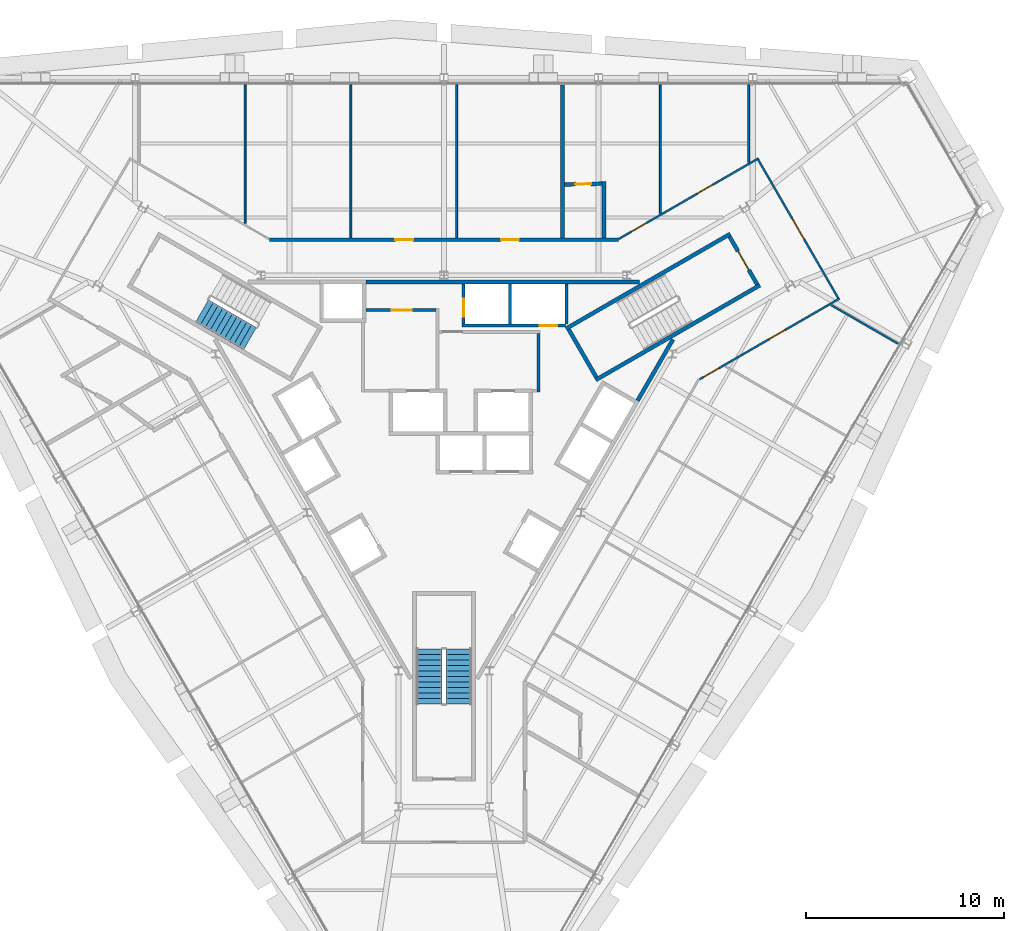
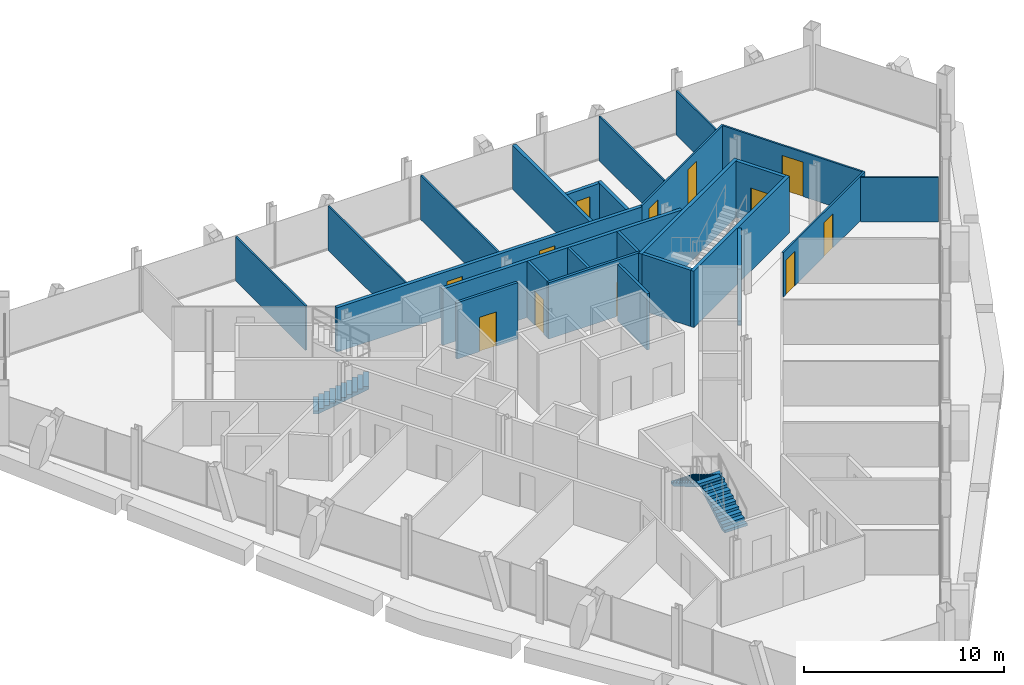
# One storey, part 14 of 17: 25 walls, 12 doors, 3 stair flights, 12 openings, 2 elements without a shape of their own.
"""IFC4 building model written with IfcOpenShell, lengths in metres."""

from ifc_helpers import new_model, si_unit, direction, frame, frame_2d, origin, place, context, subcontext, project, spatial, polyline, rectangle, outline, extrude, material, layer, layer_set, type_object, element, fill, aggregate, save


model = new_model("IFC4")

# Units and contexts
model_context = context("Model", 3, precision=1e-05, world=origin(), true_north=direction((0.0, 1.0)))
body_context = subcontext(model_context, "Body", "Model", "MODEL_VIEW")
ifc_project = project(units=[si_unit("LENGTHUNIT", "METRE"), si_unit("AREAUNIT", "SQUARE_METRE"), si_unit("VOLUMEUNIT", "CUBIC_METRE"), si_unit("PLANEANGLEUNIT", "RADIAN"), si_unit("MASSUNIT", "GRAM", prefix="KILO")], contexts=[model_context])

# Site, building, storey
site_placement = place(None, origin())
site = spatial("IfcSite", under=ifc_project, at=site_placement, CompositionType="ELEMENT")
building_placement = place(site_placement, origin())
building = spatial("IfcBuilding", under=site, at=building_placement, Name="Verrane Prism Tower", CompositionType="ELEMENT")
storey_placement = place(building_placement, frame((0.0, 0.0, 182.10009765625)))
storey = spatial("IfcBuildingStorey", under=building, at=storey_placement, Name="L45", CompositionType="ELEMENT", Elevation=182.10009765625)

# Walls
ifc_material_1 = material(Name="Gypsum board partition", Category="other")
ifc_layer_1 = layer(ifc_material_1, 0.199951171875)
ifc_layer_set_1 = layer_set([ifc_layer_1], Name="CW-200 core boundary wall 2 h")
wall_type_1 = type_object("IfcWallType", Name="CW-200 core boundary wall 2 h", PredefinedType="PARTITIONING", material=ifc_layer_set_1)
wall_1_placement = place(storey_placement, frame((-3.93310546875, 7.659912109375, 0.0), z_axis=(0.0, 0.0, 1.0), x_axis=(1.0, 0.0, 0.0)))
element("IfcWall", 1, at=wall_1_placement, inside=storey, type_object=wall_type_1, Name="Core boundary wall CW3-005", PredefinedType="PARTITIONING", context=body_context, shape_type="SweptSolid", body=[
    extrude(rectangle(XDim=13.841064453125, YDim=0.199951171875, at=frame_2d((6.92041015625, 0.0))), origin(), (0.0, 0.0, 1.0), 3.449951171875),
])
wall_2_placement = place(storey_placement, frame((9.802978515625, 1.657958984375, 0.0), z_axis=(0.0, 0.0, 1.0), x_axis=(0.499943114462, 0.866058244174, 0.0)))
element("IfcWall", 2, at=wall_2_placement, inside=storey, type_object=wall_type_1, Name="Core boundary wall CW3-008", PredefinedType="PARTITIONING", context=body_context, shape_type="SweptSolid", body=[
    extrude(rectangle(XDim=3.57568359375, YDim=0.199951171875, at=frame_2d((1.787841796875, 0.0))), origin(), (0.0, 0.0, 1.0), 3.449951171875),
])

# Wall, opening, door
ifc_material_2 = material(Name="Concrete C40/50", Category="concrete")
ifc_layer_2 = layer(ifc_material_2, 0.199951171875)
ifc_layer_set_2 = layer_set([ifc_layer_2], Name="CW-200 stair core wall concrete C40/50 3 h")
wall_type_2 = type_object("IfcWallType", Name="CW-200 stair core wall concrete C40/50 3 h", PredefinedType="PARTITIONING", material=ifc_layer_set_2)
wall_3_placement = place(storey_placement, frame((15.85546875, 7.53759765625, 0.0), z_axis=(0.0, 0.0, 1.0), x_axis=(-0.500049511043, 0.865996816683, 0.0)))
wall_3 = element("IfcWall", 3, at=wall_3_placement, inside=storey, type_object=wall_type_2, Name="Stair 1 enclosure wall", PredefinedType="PARTITIONING", context=body_context, shape_type="SweptSolid", body=[
    extrude(rectangle(XDim=2.800048828125, YDim=0.199951171875, at=frame_2d((1.39990234375, 0.0))), origin(), (0.0, 0.0, 1.0), 3.449951171875),
])
opening_1_placement = place(wall_3_placement, frame((0.849853515625, 0.0, 0.0)))
opening_1 = element("IfcOpeningElement", 4, at=opening_1_placement, cuts=wall_3, Name="Opening D44500", PredefinedType="OPENING", context=body_context, shape_type="SweptSolid", body=[
    extrude(rectangle(XDim=1.10009765625, YDim=2.10009765625, at=frame_2d((0.550048828125, 1.050048828125))), frame((0.0, 0.10986328125, 0.0), z_axis=(0.0, -1.0, 0.0), x_axis=(1.0, 0.0, 0.0)), (0.0, 0.0, 1.0), 0.219970703125),
])
ifc_material_3 = material(Name="Timber veneered door leaf", Category="wood")
door_type_1 = type_object("IfcDoorType", Name="DR-1100x2100 FD90 single leaf stair", OperationType="NOTDEFINED", PredefinedType="DOOR", material=ifc_material_3)
door_1_placement = place(opening_1_placement, origin())
door_1 = element("IfcDoor", 5, at=door_1_placement, inside=storey, type_object=door_type_1, Name="Stair 1 door", OperationType="SINGLE_SWING_LEFT", OverallHeight=2.10009765625, OverallWidth=1.10009765625, PredefinedType="DOOR", context=body_context, shape_type="SweptSolid", body=[
    extrude(rectangle(XDim=1.10009765625, YDim=2.10009765625, at=frame_2d((0.550048828125, 1.050048828125))), frame((0.0, 0.02490234375, 0.0), z_axis=(0.0, -1.0, 0.0), x_axis=(1.0, 0.0, 0.0)), (0.0, 0.0, 1.0), 0.050048828125),
])
fill(opening_1, door_1)

# Walls
for number, where, z_axis, x_axis, name in (
    (6, (6.17822265625, 5.299072265625, 0.0), (0.0, 0.0, 1.0), (0.866019993635, 0.500009370536, 0.0), "Stair 1 enclosure wall"),
    (7, (7.67822265625, 2.700927734375, 0.0), (0.0, 0.0, 1.0), (0.866019993635, 0.500009370536, 0.0), "Stair 1 enclosure wall"),
):
    element("IfcWall", number, at=place(storey_placement, frame(where, z_axis=z_axis, x_axis=x_axis)), inside=storey, type_object=wall_type_2, Name=name, PredefinedType="PARTITIONING", context=body_context, shape_type="SweptSolid", body=[
        extrude(rectangle(XDim=9.599853515625, YDim=0.199951171875, at=frame_2d((4.7998046875, 0.0))), origin(), (0.0, 0.0, 1.0), 3.449951171875),
    ])
wall_4_placement = place(storey_placement, frame((7.71484375, 2.837646484375, 0.0), z_axis=(0.0, 0.0, 1.0), x_axis=(-0.500049511043, 0.865996816683, 0.0)))
element("IfcWall", 8, at=wall_4_placement, inside=storey, type_object=wall_type_2, Name="Stair 1 enclosure wall", PredefinedType="PARTITIONING", context=body_context, shape_type="SweptSolid", body=[
    extrude(rectangle(XDim=2.800048828125, YDim=0.199951171875, at=frame_2d((1.39990234375, 0.0))), origin(), (0.0, 0.0, 1.0), 3.449951171875),
])

# Wall, opening, door
ifc_material_4 = material(Name="Gypsum board partition", Category="other")
ifc_layer_3 = layer(ifc_material_4, 0.14990234375)
ifc_layer_set_3 = layer_set([ifc_layer_3], Name="LF-150 firefighting lobby wall 1 h")
wall_type_3 = type_object("IfcWallType", Name="LF-150 firefighting lobby wall 1 h", PredefinedType="PARTITIONING", material=ifc_layer_set_3)
wall_5_placement = place(storey_placement, frame((-3.93310546875, 6.239990234375, 0.0), z_axis=(0.0, 0.0, 1.0), x_axis=(1.0, 0.0, 0.0)))
wall_5 = element("IfcWall", 9, at=wall_5_placement, inside=storey, type_object=wall_type_3, Name="Firefighting lobby wall LF1-003", PredefinedType="PARTITIONING", context=body_context, shape_type="SweptSolid", body=[
    extrude(rectangle(XDim=3.5380859375, YDim=0.14990234375, at=frame_2d((1.76904296875, 0.0))), origin(), (0.0, 0.0, 1.0), 3.449951171875),
])
opening_2_placement = place(wall_5_placement, frame((1.300048828125, 0.0, 0.0)))
opening_2 = element("IfcOpeningElement", 10, at=opening_2_placement, cuts=wall_5, Name="Opening D44511", PredefinedType="OPENING", context=body_context, shape_type="SweptSolid", body=[
    extrude(rectangle(XDim=1.0, YDim=2.10009765625, at=frame_2d((0.5, 1.050048828125))), frame((0.0, 0.0849609375, 0.0), z_axis=(0.0, -1.0, 0.0), x_axis=(1.0, 0.0, 0.0)), (0.0, 0.0, 1.0), 0.169921875),
])
ifc_material_5 = material(Name="Timber veneered door leaf", Category="wood")
door_type_2 = type_object("IfcDoorType", Name="DR-1000x2100 FD60 single leaf firefighting lobby", OperationType="NOTDEFINED", PredefinedType="DOOR", material=ifc_material_5)
door_2_placement = place(opening_2_placement, origin())
door_2 = element("IfcDoor", 11, at=door_2_placement, inside=storey, type_object=door_type_2, Name="Firefighting lobby door D44511", OperationType="SINGLE_SWING_LEFT", OverallHeight=2.10009765625, OverallWidth=1.0, PredefinedType="DOOR", context=body_context, shape_type="SweptSolid", body=[
    extrude(rectangle(XDim=1.0, YDim=2.10009765625, at=frame_2d((0.5, 1.050048828125))), frame((0.0, 0.02490234375, 0.0), z_axis=(0.0, -1.0, 0.0), x_axis=(1.0, 0.0, 0.0)), (0.0, 0.0, 1.0), 0.050048828125),
])
fill(opening_2, door_2)

# Walls
wall_6_placement = place(storey_placement, frame((4.7900390625, 2.0849609375, 0.0), z_axis=(0.0, 0.0, 1.0), x_axis=(0.0, 1.0, 0.0)))
element("IfcWall", 12, at=wall_6_placement, inside=storey, type_object=wall_type_3, Name="Firefighting lobby wall LF1-007", PredefinedType="PARTITIONING", context=body_context, shape_type="SweptSolid", body=[
    extrude(rectangle(XDim=2.97998046875, YDim=0.14990234375, at=frame_2d((1.489990234375, 0.0))), origin(), (0.0, 0.0, 1.0), 3.449951171875),
])
ifc_material_6 = material(Name="Gypsum board partition", Category="other")
ifc_layer_4 = layer(ifc_material_6, 0.10009765625)
ifc_layer_set_4 = layer_set([ifc_layer_4], Name="PW-100 room partition")
wall_type_4 = type_object("IfcWallType", Name="PW-100 room partition", PredefinedType="PARTITIONING", material=ifc_layer_set_4)
wall_7_placement = place(storey_placement, frame((-10.06591796875, 10.630615234375, 0.0), z_axis=(0.0, 0.0, 1.0), x_axis=(0.0, 1.0, 0.0)))
element("IfcWall", 13, at=wall_7_placement, inside=storey, type_object=wall_type_4, Name="Room partition 016", PredefinedType="PARTITIONING", context=body_context, shape_type="SweptSolid", body=[
    extrude(rectangle(XDim=7.00439453125, YDim=0.10009765625, at=frame_2d((3.502197265625, 0.0))), origin(), (0.0, 0.0, 1.0), 2.712890625),
])
for number, where, z_axis, x_axis, name in (
    (14, (-4.7109375, 9.89990234375, 0.0), (0.0, 0.0, 1.0), (0.0, 1.0, 0.0), "Room partition 019"),
    (15, (0.64501953125, 9.89990234375, 0.0), (0.0, 0.0, 1.0), (0.0, 1.0, 0.0), "Room partition 022"),
):
    element("IfcWall", number, at=place(storey_placement, frame(where, z_axis=z_axis, x_axis=x_axis)), inside=storey, type_object=wall_type_4, Name=name, PredefinedType="PARTITIONING", context=body_context, shape_type="SweptSolid", body=[
        extrude(rectangle(XDim=7.735107421875, YDim=0.10009765625, at=frame_2d((3.86767578125, 0.0))), origin(), (0.0, 0.0, 1.0), 2.712890625),
    ])

# Wall, openings, doors
wall_8_placement = place(storey_placement, frame((8.8515625, 9.842529296875, 0.0), z_axis=(0.0, 0.0, 1.0), x_axis=(0.866088973199, 0.499889878377, 0.0)))
wall_8 = element("IfcWall", 16, at=wall_8_placement, inside=storey, type_object=wall_type_4, Name="Room partition 034", PredefinedType="PARTITIONING", context=body_context, shape_type="SweptSolid", body=[
    extrude(rectangle(XDim=8.162841796875, YDim=0.10009765625, at=frame_2d((4.08154296875, 0.0))), origin(), (0.0, 0.0, 1.0), 2.712890625),
])
opening_3_placement = place(wall_8_placement, frame((4.5830078125, 0.0, 0.0)))
opening_3 = element("IfcOpeningElement", 17, at=opening_3_placement, cuts=wall_8, Name="Opening D44009", PredefinedType="OPENING", context=body_context, shape_type="SweptSolid", body=[
    extrude(rectangle(XDim=0.89990234375, YDim=2.10009765625, at=frame_2d((0.449951171875, 1.050048828125))), frame((0.0, 0.06005859375, 0.0), z_axis=(0.0, -1.0, 0.0), x_axis=(1.0, 0.0, 0.0)), (0.0, 0.0, 1.0), 0.1201171875),
])
opening_4_placement = place(wall_8_placement, frame((0.715087890625, 0.0, 0.0)))
opening_4 = element("IfcOpeningElement", 18, at=opening_4_placement, cuts=wall_8, Name="Opening D44010", PredefinedType="OPENING", context=body_context, shape_type="SweptSolid", body=[
    extrude(rectangle(XDim=0.89990234375, YDim=2.10009765625, at=frame_2d((0.449951171875, 1.050048828125))), frame((0.0, 0.06005859375, 0.0), z_axis=(0.0, -1.0, 0.0), x_axis=(1.0, 0.0, 0.0)), (0.0, 0.0, 1.0), 0.1201171875),
])
ifc_material_7 = material(Name="Timber veneered door leaf", Category="wood")
door_type_3 = type_object("IfcDoorType", Name="DR-900x2100 single leaf inner", OperationType="NOTDEFINED", PredefinedType="DOOR", material=ifc_material_7)
door_3_placement = place(opening_4_placement, origin())
door_3 = element("IfcDoor", 19, at=door_3_placement, inside=storey, type_object=door_type_3, Name="Bedroom door", OperationType="SINGLE_SWING_RIGHT", OverallHeight=2.10009765625, OverallWidth=0.89990234375, PredefinedType="DOOR", context=body_context, shape_type="SweptSolid", body=[
    extrude(rectangle(XDim=0.89990234375, YDim=2.10009765625, at=frame_2d((0.449951171875, 1.050048828125))), frame((0.0, 0.02490234375, 0.0), z_axis=(0.0, -1.0, 0.0), x_axis=(1.0, 0.0, 0.0)), (0.0, 0.0, 1.0), 0.050048828125),
])
fill(opening_4, door_3)
ifc_material_8 = material(Name="Timber veneered door leaf", Category="wood")
door_type_4 = type_object("IfcDoorType", Name="DR-900x2100 single leaf unit", OperationType="NOTDEFINED", PredefinedType="DOOR", material=ifc_material_8)
door_4_placement = place(opening_3_placement, origin())
door_4 = element("IfcDoor", 20, at=door_4_placement, inside=storey, type_object=door_type_4, Name="Kitchen door", OperationType="SINGLE_SWING_LEFT", OverallHeight=2.10009765625, OverallWidth=0.89990234375, PredefinedType="DOOR", context=body_context, shape_type="SweptSolid", body=[
    extrude(rectangle(XDim=0.89990234375, YDim=2.10009765625, at=frame_2d((0.449951171875, 1.050048828125))), frame((0.0, 0.02490234375, 0.0), z_axis=(0.0, -1.0, 0.0), x_axis=(1.0, 0.0, 0.0)), (0.0, 0.0, 1.0), 0.050048828125),
])
fill(opening_3, door_4)

# Wall
wall_9_placement = place(storey_placement, frame((10.958984375, 11.1455078125, 0.0), z_axis=(0.0, 0.0, 1.0), x_axis=(0.0, 1.0, 0.0)))
element("IfcWall", 21, at=wall_9_placement, inside=storey, type_object=wall_type_4, Name="Room partition 036", PredefinedType="PARTITIONING", context=body_context, shape_type="SweptSolid", body=[
    extrude(rectangle(XDim=6.489501953125, YDim=0.10009765625, at=frame_2d((3.24462890625, 0.0))), origin(), (0.0, 0.0, 1.0), 2.712890625),
])

# Wall, openings, doors
wall_10_placement = place(storey_placement, frame((20.023193359375, 6.825927734375, 0.0), z_axis=(0.0, 0.0, 1.0), x_axis=(-0.866097124975, -0.499875754673, 0.0)))
wall_10 = element("IfcWall", 22, at=wall_10_placement, inside=storey, type_object=wall_type_4, Name="Room partition 037", PredefinedType="PARTITIONING", context=body_context, shape_type="SweptSolid", body=[
    extrude(rectangle(XDim=8.1796875, YDim=0.10009765625, at=frame_2d((4.08984375, 0.0))), origin(), (0.0, 0.0, 1.0), 2.712890625),
])
opening_5_placement = place(wall_10_placement, frame((7.050048828125, 0.0, 0.0)))
opening_5 = element("IfcOpeningElement", 23, at=opening_5_placement, cuts=wall_10, Name="Opening D44006", PredefinedType="OPENING", context=body_context, shape_type="SweptSolid", body=[
    extrude(rectangle(XDim=0.89990234375, YDim=2.10009765625, at=frame_2d((0.449951171875, 1.050048828125))), frame((0.0, 0.06005859375, 0.0), z_axis=(0.0, -1.0, 0.0), x_axis=(1.0, 0.0, 0.0)), (0.0, 0.0, 1.0), 0.1201171875),
])
opening_6_placement = place(wall_10_placement, frame((3.214111328125, 0.0, 0.0)))
opening_6 = element("IfcOpeningElement", 24, at=opening_6_placement, cuts=wall_10, Name="Opening D44007", PredefinedType="OPENING", context=body_context, shape_type="SweptSolid", body=[
    extrude(rectangle(XDim=0.89990234375, YDim=2.10009765625, at=frame_2d((0.449951171875, 1.050048828125))), frame((0.0, 0.06005859375, 0.0), z_axis=(0.0, -1.0, 0.0), x_axis=(1.0, 0.0, 0.0)), (0.0, 0.0, 1.0), 0.1201171875),
])
door_5_placement = place(opening_5_placement, origin())
door_5 = element("IfcDoor", 25, at=door_5_placement, inside=storey, type_object=door_type_4, Name="Study door", OperationType="SINGLE_SWING_LEFT", OverallHeight=2.10009765625, OverallWidth=0.89990234375, PredefinedType="DOOR", context=body_context, shape_type="SweptSolid", body=[
    extrude(rectangle(XDim=0.89990234375, YDim=2.10009765625, at=frame_2d((0.449951171875, 1.050048828125))), frame((0.0, 0.02490234375, 0.0), z_axis=(0.0, -1.0, 0.0), x_axis=(1.0, 0.0, 0.0)), (0.0, 0.0, 1.0), 0.050048828125),
])
fill(opening_5, door_5)
door_6_placement = place(opening_6_placement, origin())
door_6 = element("IfcDoor", 26, at=door_6_placement, inside=storey, type_object=door_type_4, Name="Study door", OperationType="SINGLE_SWING_RIGHT", OverallHeight=2.10009765625, OverallWidth=0.89990234375, PredefinedType="DOOR", context=body_context, shape_type="SweptSolid", body=[
    extrude(rectangle(XDim=0.89990234375, YDim=2.10009765625, at=frame_2d((0.449951171875, 1.050048828125))), frame((0.0, 0.02490234375, 0.0), z_axis=(0.0, -1.0, 0.0), x_axis=(1.0, 0.0, 0.0)), (0.0, 0.0, 1.0), 0.050048828125),
])
fill(opening_6, door_6)

# Wall
wall_11_placement = place(storey_placement, frame((15.422119140625, 13.7216796875, 0.0), z_axis=(0.0, 0.0, 1.0), x_axis=(0.0, 1.0, 0.0)))
element("IfcWall", 27, at=wall_11_placement, inside=storey, type_object=wall_type_4, Name="Room partition 039", PredefinedType="PARTITIONING", context=body_context, shape_type="SweptSolid", body=[
    extrude(rectangle(XDim=3.913330078125, YDim=0.10009765625, at=frame_2d((1.95654296875, 0.0))), origin(), (0.0, 0.0, 1.0), 2.712890625),
])

# Wall, opening, door
wall_12_placement = place(storey_placement, frame((15.903076171875, 13.854736328125, 0.0), z_axis=(0.0, 0.0, 1.0), x_axis=(0.500415732313, -0.865785247537, 0.0)))
wall_12 = element("IfcWall", 28, at=wall_12_placement, inside=storey, type_object=wall_type_4, Name="Room partition 040", PredefinedType="PARTITIONING", context=body_context, shape_type="SweptSolid", body=[
    extrude(rectangle(XDim=8.09716796875, YDim=0.10009765625, at=frame_2d((4.048583984375, 0.0))), origin(), (0.0, 0.0, 1.0), 2.712890625),
])
opening_7_placement = place(wall_12_placement, frame((3.449951171875, 0.0, 0.0)))
opening_7 = element("IfcOpeningElement", 29, at=opening_7_placement, cuts=wall_12, Name="Opening D44008", PredefinedType="OPENING", context=body_context, shape_type="SweptSolid", body=[
    extrude(rectangle(XDim=1.199951171875, YDim=2.10009765625, at=frame_2d((0.60009765625, 1.050048828125))), frame((0.0, 0.06005859375, 0.0), z_axis=(0.0, -1.0, 0.0), x_axis=(1.0, 0.0, 0.0)), (0.0, 0.0, 1.0), 0.1201171875),
])
ifc_material_9 = material(Name="Timber veneered door leaf", Category="wood")
door_type_5 = type_object("IfcDoorType", Name="DR-1200x2100 single leaf unit", OperationType="NOTDEFINED", PredefinedType="DOOR", material=ifc_material_9)
door_7_placement = place(opening_7_placement, origin())
door_7 = element("IfcDoor", 30, at=door_7_placement, inside=storey, type_object=door_type_5, Name="Living And Dining Room door", OperationType="SINGLE_SWING_RIGHT", OverallHeight=2.10009765625, OverallWidth=1.199951171875, PredefinedType="DOOR", context=body_context, shape_type="SweptSolid", body=[
    extrude(rectangle(XDim=1.199951171875, YDim=2.10009765625, at=frame_2d((0.60009765625, 1.050048828125))), frame((0.0, 0.02490234375, 0.0), z_axis=(0.0, -1.0, 0.0), x_axis=(1.0, 0.0, 0.0)), (0.0, 0.0, 1.0), 0.050048828125),
])
fill(opening_7, door_7)

# Wall
wall_13_placement = place(storey_placement, frame((19.595947265625, 6.49365234375, 0.0), z_axis=(0.0, 0.0, 1.0), x_axis=(0.865998449813, -0.500046682742, 0.0)))
element("IfcWall", 31, at=wall_13_placement, inside=storey, type_object=wall_type_4, Name="Room partition 041", PredefinedType="PARTITIONING", context=body_context, shape_type="SweptSolid", body=[
    extrude(rectangle(XDim=3.910888671875, YDim=0.10009765625, at=frame_2d((1.95556640625, 0.0))), origin(), (0.0, 0.0, 1.0), 2.712890625),
])

# Wall, openings, doors
ifc_material_10 = material(Name="Gypsum board partition", Category="other")
ifc_layer_5 = layer(ifc_material_10, 0.199951171875)
ifc_layer_set_5 = layer_set([ifc_layer_5], Name="PW-200 plumbing wall")
wall_type_5 = type_object("IfcWallType", Name="PW-200 plumbing wall", PredefinedType="PARTITIONING", material=ifc_layer_set_5)
wall_14_placement = place(storey_placement, frame((-8.827880859375, 9.800048828125, 0.0), z_axis=(0.0, 0.0, 1.0), x_axis=(1.0, 0.0, 0.0)))
wall_14 = element("IfcWall", 32, at=wall_14_placement, inside=storey, type_object=wall_type_5, Name="Plumbing wall 017", PredefinedType="PARTITIONING", context=body_context, shape_type="SweptSolid", body=[
    extrude(rectangle(XDim=17.65576171875, YDim=0.199951171875, at=frame_2d((8.827880859375, 0.0))), origin(), (0.0, 0.0, 1.0), 2.712890625),
])
opening_8_placement = place(wall_14_placement, frame((11.722900390625, 0.0, 0.0)))
opening_8 = element("IfcOpeningElement", 33, at=opening_8_placement, cuts=wall_14, Name="Opening D44012", PredefinedType="OPENING", context=body_context, shape_type="SweptSolid", body=[
    extrude(rectangle(XDim=0.89990234375, YDim=2.10009765625, at=frame_2d((0.449951171875, 1.050048828125))), frame((0.0, 0.10986328125, 0.0), z_axis=(0.0, -1.0, 0.0), x_axis=(1.0, 0.0, 0.0)), (0.0, 0.0, 1.0), 0.219970703125),
])
opening_9_placement = place(wall_14_placement, frame((6.366943359375, 0.0, 0.0)))
opening_9 = element("IfcOpeningElement", 34, at=opening_9_placement, cuts=wall_14, Name="Opening D44013", PredefinedType="OPENING", context=body_context, shape_type="SweptSolid", body=[
    extrude(rectangle(XDim=0.89990234375, YDim=2.10009765625, at=frame_2d((0.449951171875, 1.050048828125))), frame((0.0, 0.10986328125, 0.0), z_axis=(0.0, -1.0, 0.0), x_axis=(1.0, 0.0, 0.0)), (0.0, 0.0, 1.0), 0.219970703125),
])
door_8_placement = place(opening_8_placement, origin())
door_8 = element("IfcDoor", 35, at=door_8_placement, inside=storey, type_object=door_type_4, Name="Study door", OperationType="SINGLE_SWING_RIGHT", OverallHeight=2.10009765625, OverallWidth=0.89990234375, PredefinedType="DOOR", context=body_context, shape_type="SweptSolid", body=[
    extrude(rectangle(XDim=0.89990234375, YDim=2.10009765625, at=frame_2d((0.449951171875, 1.050048828125))), frame((0.0, 0.02490234375, 0.0), z_axis=(0.0, -1.0, 0.0), x_axis=(1.0, 0.0, 0.0)), (0.0, 0.0, 1.0), 0.050048828125),
])
fill(opening_8, door_8)
door_9_placement = place(opening_9_placement, origin())
door_9 = element("IfcDoor", 36, at=door_9_placement, inside=storey, type_object=door_type_4, Name="Study door", OperationType="SINGLE_SWING_LEFT", OverallHeight=2.10009765625, OverallWidth=0.89990234375, PredefinedType="DOOR", context=body_context, shape_type="SweptSolid", body=[
    extrude(rectangle(XDim=0.89990234375, YDim=2.10009765625, at=frame_2d((0.449951171875, 1.050048828125))), frame((0.0, 0.02490234375, 0.0), z_axis=(0.0, -1.0, 0.0), x_axis=(1.0, 0.0, 0.0)), (0.0, 0.0, 1.0), 0.050048828125),
])
fill(opening_9, door_9)

# Wall
wall_15_placement = place(storey_placement, frame((6.0, 9.89990234375, 0.0), z_axis=(0.0, 0.0, 1.0), x_axis=(0.0, 1.0, 0.0)))
element("IfcWall", 37, at=wall_15_placement, inside=storey, type_object=wall_type_5, Name="Plumbing wall 029", PredefinedType="PARTITIONING", context=body_context, shape_type="SweptSolid", body=[
    extrude(rectangle(XDim=7.735107421875, YDim=0.199951171875, at=frame_2d((3.86767578125, 0.0))), origin(), (0.0, 0.0, 1.0), 2.712890625),
])

# Wall, opening, door
wall_16_placement = place(storey_placement, frame((7.9951171875, 12.639892578125, 0.0), z_axis=(0.0, 0.0, 1.0), x_axis=(-0.999800266148, -0.019985690128, 0.0)))
wall_16 = element("IfcWall", 38, at=wall_16_placement, inside=storey, type_object=wall_type_5, Name="Plumbing wall 030", PredefinedType="PARTITIONING", context=body_context, shape_type="SweptSolid", body=[
    extrude(rectangle(XDim=1.8935546875, YDim=0.199951171875, at=frame_2d((0.94677734375, 0.0))), origin(), (0.0, 0.0, 1.0), 2.712890625),
])
opening_10_placement = place(wall_16_placement, frame((0.54541015625, 0.0, 0.0)))
opening_10 = element("IfcOpeningElement", 39, at=opening_10_placement, cuts=wall_16, Name="Opening D44011", PredefinedType="OPENING", context=body_context, shape_type="SweptSolid", body=[
    extrude(rectangle(XDim=0.800048828125, YDim=2.10009765625, at=frame_2d((0.39990234375, 1.050048828125))), frame((0.0, 0.10986328125, 0.0), z_axis=(0.0, -1.0, 0.0), x_axis=(1.0, 0.0, 0.0)), (0.0, 0.0, 1.0), 0.219970703125),
])
ifc_material_11 = material(Name="Timber veneered door leaf", Category="wood")
door_type_6 = type_object("IfcDoorType", Name="DR-800x2100 single leaf bath", OperationType="NOTDEFINED", PredefinedType="DOOR", material=ifc_material_11)
door_10_placement = place(opening_10_placement, origin())
door_10 = element("IfcDoor", 40, at=door_10_placement, inside=storey, type_object=door_type_6, Name="Bathroom door", OperationType="SINGLE_SWING_RIGHT", OverallHeight=2.10009765625, OverallWidth=0.800048828125, PredefinedType="DOOR", context=body_context, shape_type="SweptSolid", body=[
    extrude(rectangle(XDim=0.800048828125, YDim=2.10009765625, at=frame_2d((0.39990234375, 1.050048828125))), frame((0.0, 0.02490234375, 0.0), z_axis=(0.0, -1.0, 0.0), x_axis=(1.0, 0.0, 0.0)), (0.0, 0.0, 1.0), 0.050048828125),
])
fill(opening_10, door_10)

# Wall
wall_17_placement = place(storey_placement, frame((8.10009765625, 9.89990234375, 0.0), z_axis=(0.0, 0.0, 1.0), x_axis=(0.0, 1.0, 0.0)))
element("IfcWall", 41, at=wall_17_placement, inside=storey, type_object=wall_type_5, Name="Plumbing wall 032", PredefinedType="PARTITIONING", context=body_context, shape_type="SweptSolid", body=[
    extrude(rectangle(XDim=2.842041015625, YDim=0.199951171875, at=frame_2d((1.4208984375, 0.0))), origin(), (0.0, 0.0, 1.0), 2.712890625),
])

# Wall, opening, door
ifc_material_12 = material(Name="Gypsum board partition", Category="other")
ifc_layer_6 = layer(ifc_material_12, 0.14990234375)
ifc_layer_set_6 = layer_set([ifc_layer_6], Name="RS-150 riser enclosure wall 1 h")
wall_type_6 = type_object("IfcWallType", Name="RS-150 riser enclosure wall 1 h", PredefinedType="PARTITIONING", material=ifc_layer_set_6)
wall_18_placement = place(storey_placement, frame((1.0, 7.56005859375, 0.0), z_axis=(0.0, 0.0, 1.0), x_axis=(0.0, -1.0, 0.0)))
wall_18 = element("IfcWall", 42, at=wall_18_placement, inside=storey, type_object=wall_type_6, Name="Riser wall RS3-001", PredefinedType="PARTITIONING", context=body_context, shape_type="SweptSolid", body=[
    extrude(rectangle(XDim=2.025146484375, YDim=0.14990234375, at=frame_2d((1.0126953125, 0.0))), origin(), (0.0, 0.0, 1.0), 3.449951171875),
])
opening_11_placement = place(wall_18_placement, frame((0.75, 0.0, 0.0)))
opening_11 = element("IfcOpeningElement", 43, at=opening_11_placement, cuts=wall_18, Name="Opening D44513", PredefinedType="OPENING", context=body_context, shape_type="SweptSolid", body=[
    extrude(rectangle(XDim=0.89990234375, YDim=2.10009765625, at=frame_2d((0.449951171875, 1.050048828125))), frame((0.0, 0.0849609375, 0.0), z_axis=(0.0, -1.0, 0.0), x_axis=(1.0, 0.0, 0.0)), (0.0, 0.0, 1.0), 0.169921875),
])
ifc_material_13 = material(Name="Timber veneered door leaf", Category="wood")
door_type_7 = type_object("IfcDoorType", Name="DR-900x2100 FD60 single leaf riser", OperationType="NOTDEFINED", PredefinedType="DOOR", material=ifc_material_13)
door_11_placement = place(opening_11_placement, origin())
door_11 = element("IfcDoor", 44, at=door_11_placement, inside=storey, type_object=door_type_7, Name="Riser door D44513", OperationType="SINGLE_SWING_RIGHT", OverallHeight=2.10009765625, OverallWidth=0.89990234375, PredefinedType="DOOR", context=body_context, shape_type="SweptSolid", body=[
    extrude(rectangle(XDim=0.89990234375, YDim=2.10009765625, at=frame_2d((0.449951171875, 1.050048828125))), frame((0.0, 0.02490234375, 0.0), z_axis=(0.0, -1.0, 0.0), x_axis=(1.0, 0.0, 0.0)), (0.0, 0.0, 1.0), 0.050048828125),
])
fill(opening_11, door_11)

wall_19_placement = place(storey_placement, frame((0.925048828125, 5.4599609375, 0.0), z_axis=(0.0, 0.0, 1.0), x_axis=(1.0, 0.0, 0.0)))
wall_19 = element("IfcWall", 45, at=wall_19_placement, inside=storey, type_object=wall_type_6, Name="Riser wall RS3-002", PredefinedType="PARTITIONING", context=body_context, shape_type="SweptSolid", body=[
    extrude(rectangle(XDim=5.219970703125, YDim=0.14990234375, at=frame_2d((2.60986328125, 0.0))), origin(), (0.0, 0.0, 1.0), 3.449951171875),
])
opening_12_placement = place(wall_19_placement, frame((3.9150390625, 0.0, 0.0)))
opening_12 = element("IfcOpeningElement", 46, at=opening_12_placement, cuts=wall_19, Name="Opening D44514", PredefinedType="OPENING", context=body_context, shape_type="SweptSolid", body=[
    extrude(rectangle(XDim=0.89990234375, YDim=2.10009765625, at=frame_2d((0.449951171875, 1.050048828125))), frame((0.0, 0.0849609375, 0.0), z_axis=(0.0, -1.0, 0.0), x_axis=(1.0, 0.0, 0.0)), (0.0, 0.0, 1.0), 0.169921875),
])
door_12_placement = place(opening_12_placement, origin())
door_12 = element("IfcDoor", 47, at=door_12_placement, inside=storey, type_object=door_type_7, Name="Riser door D44514", OperationType="SINGLE_SWING_RIGHT", OverallHeight=2.10009765625, OverallWidth=0.89990234375, PredefinedType="DOOR", context=body_context, shape_type="SweptSolid", body=[
    extrude(rectangle(XDim=0.89990234375, YDim=2.10009765625, at=frame_2d((0.449951171875, 1.050048828125))), frame((0.0, 0.02490234375, 0.0), z_axis=(0.0, -1.0, 0.0), x_axis=(1.0, 0.0, 0.0)), (0.0, 0.0, 1.0), 0.050048828125),
])
fill(opening_12, door_12)

# Walls
for number, where, z_axis, x_axis, name in (
    (48, (3.340087890625, 5.534912109375, 0.0), (0.0, 0.0, 1.0), (0.0, 1.0, 0.0), "Riser wall RS3-003"),
    (49, (6.199951171875, 5.534912109375, 0.0), (0.0, 0.0, 1.0), (0.0, 1.0, 0.0), "Riser wall RS3-004"),
):
    element("IfcWall", number, at=place(storey_placement, frame(where, z_axis=z_axis, x_axis=x_axis)), inside=storey, type_object=wall_type_6, Name=name, PredefinedType="PARTITIONING", context=body_context, shape_type="SweptSolid", body=[
        extrude(rectangle(XDim=2.025146484375, YDim=0.14990234375, at=frame_2d((1.0126953125, 0.0))), origin(), (0.0, 0.0, 1.0), 3.449951171875),
    ])

# Stair, stair flight
ifc_material_14 = material(Name="Concrete C40/50", Category="concrete")
stair_type = type_object("IfcStairType", Name="Exit stair 1300 dog-leg precast concrete C40/50", PredefinedType="HALF_TURN_STAIR", material=ifc_material_14)
stair_1_placement = place(storey_placement, origin())
stair_1 = element("IfcStair", 50, at=stair_1_placement, inside=storey, type_object=stair_type, Name="Stair 2 L45", PredefinedType="HALF_TURN_STAIR")
ifc_material_15 = material(Name="Concrete C40/50", Category="concrete")
stair_flight_type = type_object("IfcStairFlightType", Name="Stair flight 1300 precast concrete C40/50", PredefinedType="STRAIGHT", material=ifc_material_15)
stair_flight_1_placement = place(storey_placement, frame((-12.239501953125, 6.200439453125, 0.0), z_axis=(0.0, 0.0, 1.0), x_axis=(0.866025403784, -0.5, 0.0)))
stair_flight_1 = element("IfcStairFlight", 51, at=stair_flight_1_placement, type_object=stair_flight_type, Name="Stair 2 flight 1", NumberOfRisers=11, NumberOfTreads=10, PredefinedType="STRAIGHT", RiserHeight=0.168181818, TreadLength=0.28, context=body_context, shape_type="SweptSolid", body=[
    extrude(outline(polyline([(0.0, 0.0), (0.0, 0.168212890625), (0.280029296875, 0.168212890625), (0.280029296875, 0.33642578125), (0.56005859375, 0.33642578125), (0.56005859375, 0.504638671875), (0.840087890625, 0.504638671875), (0.840087890625, 0.672607421875), (1.1201171875, 0.672607421875), (1.1201171875, 0.8408203125), (1.39990234375, 0.8408203125), (1.39990234375, 1.009033203125), (1.679931640625, 1.009033203125), (1.679931640625, 1.17724609375), (1.9599609375, 1.17724609375), (1.9599609375, 1.345458984375), (2.239990234375, 1.345458984375), (2.239990234375, 1.513671875), (2.52001953125, 1.513671875), (2.52001953125, 1.681884765625), (2.800048828125, 1.681884765625), (2.800048828125, 1.85009765625), (2.800048828125, 1.5068359375), (0.291015625, 0.0), (0.0, 0.0)])), frame((0.0, 0.64990234375, 0.0), z_axis=(0.0, -1.0, 0.0), x_axis=(1.0, 0.0, 0.0)), (0.0, 0.0, 1.0), 1.300048828125),
])
aggregate(stair_1, [stair_flight_1])

# Stair, stair flights
stair_2_placement = place(storey_placement, origin())
stair_2 = element("IfcStair", 52, at=stair_2_placement, inside=storey, type_object=stair_type, Name="Stair 3 L45", PredefinedType="HALF_TURN_STAIR")
stair_flight_2_placement = place(storey_placement, frame((0.75, -13.699951171875, 0.0), z_axis=(0.0, 0.0, 1.0), x_axis=(0.0, 1.0, 0.0)))
stair_flight_2 = element("IfcStairFlight", 53, at=stair_flight_2_placement, type_object=stair_flight_type, Name="Stair 3 flight 1", NumberOfRisers=11, NumberOfTreads=10, PredefinedType="STRAIGHT", RiserHeight=0.168181818, TreadLength=0.28, context=body_context, shape_type="SweptSolid", body=[
    extrude(outline(polyline([(0.0, 0.0), (0.0, 0.168212890625), (0.280029296875, 0.168212890625), (0.280029296875, 0.33642578125), (0.56005859375, 0.33642578125), (0.56005859375, 0.504638671875), (0.840087890625, 0.504638671875), (0.840087890625, 0.672607421875), (1.1201171875, 0.672607421875), (1.1201171875, 0.8408203125), (1.39990234375, 0.8408203125), (1.39990234375, 1.009033203125), (1.679931640625, 1.009033203125), (1.679931640625, 1.17724609375), (1.9599609375, 1.17724609375), (1.9599609375, 1.345458984375), (2.239990234375, 1.345458984375), (2.239990234375, 1.513671875), (2.52001953125, 1.513671875), (2.52001953125, 1.681884765625), (2.800048828125, 1.681884765625), (2.800048828125, 1.85009765625), (2.800048828125, 1.5068359375), (0.291015625, 0.0), (0.0, 0.0)])), frame((0.0, 0.64990234375, 0.0), z_axis=(0.0, -1.0, 0.0), x_axis=(1.0, 0.0, 0.0)), (0.0, 0.0, 1.0), 1.300048828125),
])
stair_flight_3_placement = place(storey_placement, frame((-0.75, -10.89990234375, 1.849853515625), z_axis=(0.0, 0.0, 1.0), x_axis=(0.0, -1.0, 0.0)))
stair_flight_3 = element("IfcStairFlight", 54, at=stair_flight_3_placement, type_object=stair_flight_type, Name="Stair 3 flight 2", NumberOfRisers=11, NumberOfTreads=10, PredefinedType="STRAIGHT", RiserHeight=0.168181818, TreadLength=0.28, context=body_context, shape_type="SweptSolid", body=[
    extrude(outline(polyline([(0.0, 0.0), (0.0, 0.168212890625), (0.280029296875, 0.168212890625), (0.280029296875, 0.33642578125), (0.56005859375, 0.33642578125), (0.56005859375, 0.504638671875), (0.840087890625, 0.504638671875), (0.840087890625, 0.672607421875), (1.1201171875, 0.672607421875), (1.1201171875, 0.8408203125), (1.39990234375, 0.8408203125), (1.39990234375, 1.009033203125), (1.679931640625, 1.009033203125), (1.679931640625, 1.17724609375), (1.9599609375, 1.17724609375), (1.9599609375, 1.345458984375), (2.239990234375, 1.345458984375), (2.239990234375, 1.513671875), (2.52001953125, 1.513671875), (2.52001953125, 1.681884765625), (2.800048828125, 1.681884765625), (2.800048828125, 1.85009765625), (2.800048828125, 1.5068359375), (0.291015625, 0.0), (0.0, 0.0)])), frame((0.0, 0.64990234375, 0.0), z_axis=(0.0, -1.0, 0.0), x_axis=(1.0, 0.0, 0.0)), (0.0, 0.0, 1.0), 1.300048828125),
])
aggregate(stair_2, [stair_flight_2, stair_flight_3])

save(model, "model.ifc")
